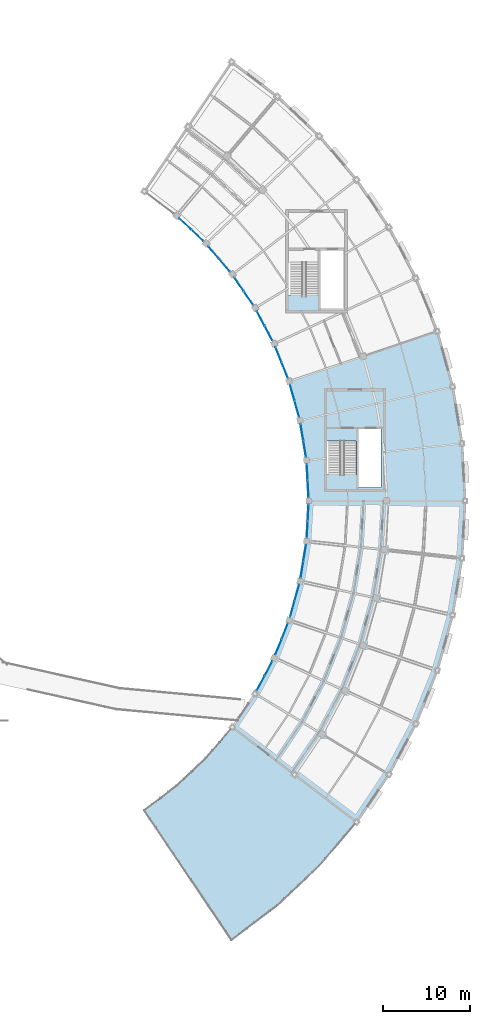
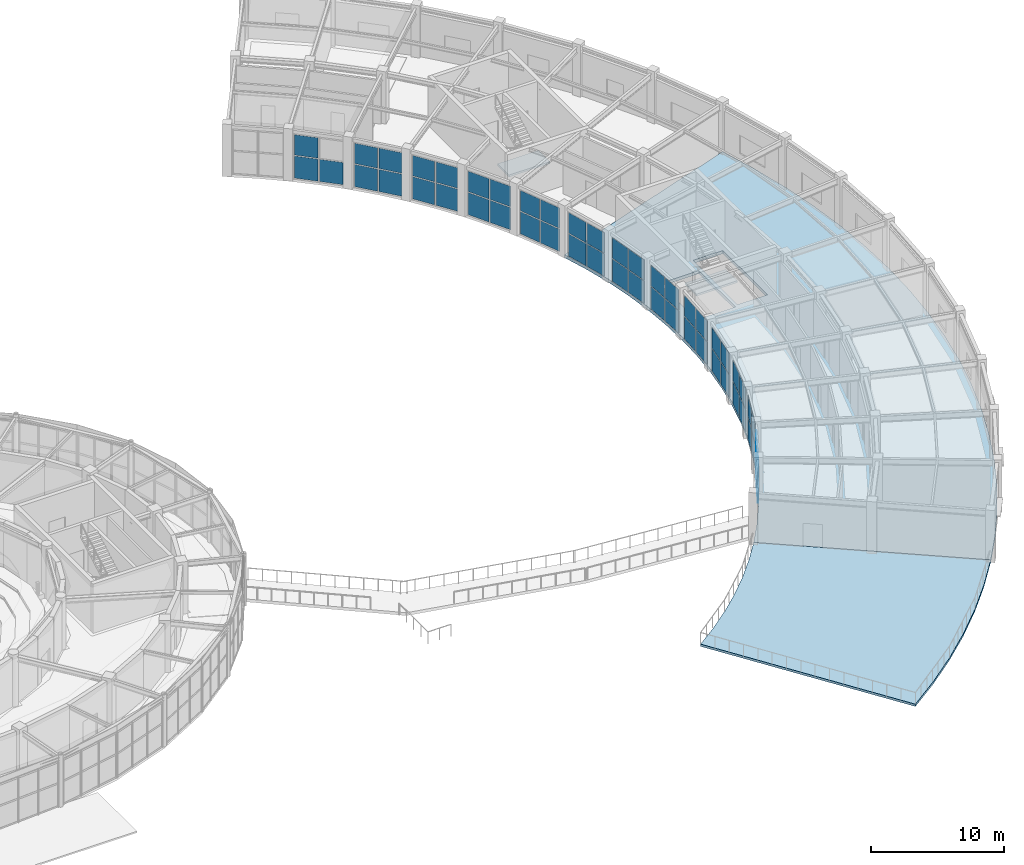
# One storey, part 74 of 100: 51 plates, 4 slabs, 15 elements without a shape of their own.
"""IFC4 building model written with IfcOpenShell, lengths in metres."""

from ifc_helpers import new_model, si_unit, direction, frame, origin, origin_2d, place, context, subcontext, project, spatial, polyline, rectangle, outline, extrude, material, layer, layer_set, type_object, element, aggregate, save


model = new_model("IFC4")

# Units and contexts
model_context = context("Model", 3, precision=1e-05, world=origin(), true_north=direction((0.0, 1.0)))
body_context = subcontext(model_context, "Body", "Model", "MODEL_VIEW")
ifc_project = project(units=[si_unit("LENGTHUNIT", "METRE"), si_unit("AREAUNIT", "SQUARE_METRE"), si_unit("VOLUMEUNIT", "CUBIC_METRE"), si_unit("PLANEANGLEUNIT", "RADIAN"), si_unit("MASSUNIT", "GRAM", prefix="KILO")], contexts=[model_context])

# Site, building, storey
site_placement = place(None, origin())
site = spatial("IfcSite", under=ifc_project, at=site_placement, CompositionType="ELEMENT")
building_placement = place(site_placement, origin())
building = spatial("IfcBuilding", under=site, at=building_placement, Name="Tarnveldt Headland Concert Hall", CompositionType="ELEMENT")
storey_placement = place(building_placement, frame((0.0, 0.0, 4.800048828125)))
storey = spatial("IfcBuildingStorey", under=building, at=storey_placement, Name="L01", CompositionType="ELEMENT", Elevation=4.800048828125)

# Curtain wall, plates
ifc_material_1 = material(Name="Marine-anodised aluminium EN AW-6063-T6", Category="aluminium")
curtain_wall_type = type_object("IfcCurtainWallType", Name="CW-C2", PredefinedType="NOTDEFINED", material=ifc_material_1)
curtain_wall_1_placement = place(storey_placement, origin())
curtain_wall_1 = element("IfcCurtainWall", 1, at=curtain_wall_1_placement, inside=storey, type_object=curtain_wall_type, Name="Curtain wall CW-L01-109", PredefinedType="NOTDEFINED")
ifc_material_2 = material(Name="Acoustic laminated low-iron double glazing", Category="glass")
ifc_layer_1 = layer(ifc_material_2, 0.02587890625, Name="Acoustic laminated low-iron double glazing", Category="glass")
ifc_layer_set_1 = layer_set([ifc_layer_1], Name="Acoustic laminated low-iron double glazing")
plate_type = type_object("IfcPlateType", Name="PN-C2", PredefinedType="CURTAIN_PANEL", material=ifc_layer_set_1)
plate_1_placement = place(storey_placement, frame((154.95458984375, 38.984375, 0.08984375), z_axis=(0.0, 0.0, 1.0), x_axis=(0.469471562786, 0.882947592859, 0.0)))
plate_1 = element("IfcPlate", 2, at=plate_1_placement, type_object=plate_type, Name="Glazed panel CW-L01-109-1-1", PredefinedType="CURTAIN_PANEL", context=body_context, shape_type="SweptSolid", body=[
    extrude(rectangle(XDim=1.834716796875, YDim=0.02587890625, at=origin_2d()), origin(), (0.0, 0.0, 1.0), 2.043701171875),
])
plate_2_placement = place(storey_placement, frame((154.95458984375, 38.984375, 2.213623046875), z_axis=(0.0, 0.0, 1.0), x_axis=(0.469471562786, 0.882947592859, 0.0)))
plate_2 = element("IfcPlate", 3, at=plate_2_placement, type_object=plate_type, Name="Glazed panel CW-L01-109-1-2", PredefinedType="CURTAIN_PANEL", context=body_context, shape_type="SweptSolid", body=[
    extrude(rectangle(XDim=1.834716796875, YDim=0.02587890625, at=origin_2d()), origin(), (0.0, 0.0, 1.0), 1.87646484375),
])
plate_3_placement = place(storey_placement, frame((155.8671875, 40.700439453125, 0.08984375), z_axis=(0.0, 0.0, 1.0), x_axis=(0.469471562786, 0.882947592859, 0.0)))
plate_3 = element("IfcPlate", 4, at=plate_3_placement, type_object=plate_type, Name="Glazed panel CW-L01-109-2-1", PredefinedType="CURTAIN_PANEL", context=body_context, shape_type="SweptSolid", body=[
    extrude(rectangle(XDim=1.834716796875, YDim=0.02587890625, at=origin_2d()), origin(), (0.0, 0.0, 1.0), 2.043701171875),
])
plate_4_placement = place(storey_placement, frame((155.8671875, 40.700439453125, 2.213623046875), z_axis=(0.0, 0.0, 1.0), x_axis=(0.469471562786, 0.882947592859, 0.0)))
plate_4 = element("IfcPlate", 5, at=plate_4_placement, type_object=plate_type, Name="Glazed panel CW-L01-109-2-2", PredefinedType="CURTAIN_PANEL", context=body_context, shape_type="SweptSolid", body=[
    extrude(rectangle(XDim=1.834716796875, YDim=0.02587890625, at=origin_2d()), origin(), (0.0, 0.0, 1.0), 1.87646484375),
])
aggregate(curtain_wall_1, [plate_1, plate_2, plate_3, plate_4])

curtain_wall_2_placement = place(storey_placement, origin())
curtain_wall_2 = element("IfcCurtainWall", 6, at=curtain_wall_2_placement, inside=storey, type_object=curtain_wall_type, Name="Curtain wall CW-L01-110", PredefinedType="NOTDEFINED")
plate_5_placement = place(storey_placement, frame((157.01171875, 43.167724609375, 0.08984375), z_axis=(0.0, 0.0, 1.0), x_axis=(0.371027502784, 0.928621877934, 0.0)))
plate_5 = element("IfcPlate", 7, at=plate_5_placement, type_object=plate_type, Name="Glazed panel CW-L01-110-1-1", PredefinedType="CURTAIN_PANEL", context=body_context, shape_type="SweptSolid", body=[
    extrude(rectangle(XDim=1.834716796875, YDim=0.02587890625, at=origin_2d()), origin(), (0.0, 0.0, 1.0), 2.043701171875),
])
plate_6_placement = place(storey_placement, frame((157.01171875, 43.167724609375, 2.213623046875), z_axis=(0.0, 0.0, 1.0), x_axis=(0.371027502784, 0.928621877934, 0.0)))
plate_6 = element("IfcPlate", 8, at=plate_6_placement, type_object=plate_type, Name="Glazed panel CW-L01-110-1-2", PredefinedType="CURTAIN_PANEL", context=body_context, shape_type="SweptSolid", body=[
    extrude(rectangle(XDim=1.834716796875, YDim=0.02587890625, at=origin_2d()), origin(), (0.0, 0.0, 1.0), 1.87646484375),
])
plate_7_placement = place(storey_placement, frame((157.73291015625, 44.97265625, 0.08984375), z_axis=(0.0, 0.0, 1.0), x_axis=(0.371027502784, 0.928621877934, 0.0)))
plate_7 = element("IfcPlate", 9, at=plate_7_placement, type_object=plate_type, Name="Glazed panel CW-L01-110-2-1", PredefinedType="CURTAIN_PANEL", context=body_context, shape_type="SweptSolid", body=[
    extrude(rectangle(XDim=1.834716796875, YDim=0.02587890625, at=origin_2d()), origin(), (0.0, 0.0, 1.0), 2.043701171875),
])
plate_8_placement = place(storey_placement, frame((157.73291015625, 44.97265625, 2.213623046875), z_axis=(0.0, 0.0, 1.0), x_axis=(0.371027502784, 0.928621877934, 0.0)))
plate_8 = element("IfcPlate", 10, at=plate_8_placement, type_object=plate_type, Name="Glazed panel CW-L01-110-2-2", PredefinedType="CURTAIN_PANEL", context=body_context, shape_type="SweptSolid", body=[
    extrude(rectangle(XDim=1.834716796875, YDim=0.02587890625, at=origin_2d()), origin(), (0.0, 0.0, 1.0), 1.87646484375),
])
aggregate(curtain_wall_2, [plate_5, plate_6, plate_7, plate_8])

curtain_wall_3_placement = place(storey_placement, origin())
curtain_wall_3 = element("IfcCurtainWall", 11, at=curtain_wall_3_placement, inside=storey, type_object=curtain_wall_type, Name="Curtain wall CW-L01-111", PredefinedType="NOTDEFINED")
plate_9_placement = place(storey_placement, frame((158.603271484375, 47.54931640625, 0.08984375), z_axis=(0.0, 0.0, 1.0), x_axis=(0.26814645756, 0.963378159031, 0.0)))
plate_9 = element("IfcPlate", 12, at=plate_9_placement, type_object=plate_type, Name="Glazed panel CW-L01-111-1-1", PredefinedType="CURTAIN_PANEL", context=body_context, shape_type="SweptSolid", body=[
    extrude(rectangle(XDim=1.834716796875, YDim=0.02587890625, at=origin_2d()), origin(), (0.0, 0.0, 1.0), 2.043701171875),
])
plate_10_placement = place(storey_placement, frame((158.603271484375, 47.54931640625, 2.213623046875), z_axis=(0.0, 0.0, 1.0), x_axis=(0.26814645756, 0.963378159031, 0.0)))
plate_10 = element("IfcPlate", 13, at=plate_10_placement, type_object=plate_type, Name="Glazed panel CW-L01-111-1-2", PredefinedType="CURTAIN_PANEL", context=body_context, shape_type="SweptSolid", body=[
    extrude(rectangle(XDim=1.834716796875, YDim=0.02587890625, at=origin_2d()), origin(), (0.0, 0.0, 1.0), 1.87646484375),
])
plate_11_placement = place(storey_placement, frame((159.12451171875, 49.421875, 0.08984375), z_axis=(0.0, 0.0, 1.0), x_axis=(0.26814645756, 0.963378159031, 0.0)))
plate_11 = element("IfcPlate", 14, at=plate_11_placement, type_object=plate_type, Name="Glazed panel CW-L01-111-2-1", PredefinedType="CURTAIN_PANEL", context=body_context, shape_type="SweptSolid", body=[
    extrude(rectangle(XDim=1.834716796875, YDim=0.02587890625, at=origin_2d()), origin(), (0.0, 0.0, 1.0), 2.043701171875),
])
plate_12_placement = place(storey_placement, frame((159.12451171875, 49.421875, 2.213623046875), z_axis=(0.0, 0.0, 1.0), x_axis=(0.26814645756, 0.963378159031, 0.0)))
plate_12 = element("IfcPlate", 15, at=plate_12_placement, type_object=plate_type, Name="Glazed panel CW-L01-111-2-2", PredefinedType="CURTAIN_PANEL", context=body_context, shape_type="SweptSolid", body=[
    extrude(rectangle(XDim=1.834716796875, YDim=0.02587890625, at=origin_2d()), origin(), (0.0, 0.0, 1.0), 1.87646484375),
])
aggregate(curtain_wall_3, [plate_9, plate_10, plate_11, plate_12])

curtain_wall_4_placement = place(storey_placement, origin())
curtain_wall_4 = element("IfcCurtainWall", 16, at=curtain_wall_4_placement, inside=storey, type_object=curtain_wall_type, Name="Curtain wall CW-L01-112", PredefinedType="NOTDEFINED")
plate_13_placement = place(storey_placement, frame((159.710693359375, 52.07763671875, 0.08984375), z_axis=(0.0, 0.0, 1.0), x_axis=(0.162154960078, 0.986765305897, 0.0)))
plate_13 = element("IfcPlate", 17, at=plate_13_placement, type_object=plate_type, Name="Glazed panel CW-L01-112-1-1", PredefinedType="CURTAIN_PANEL", context=body_context, shape_type="SweptSolid", body=[
    extrude(rectangle(XDim=1.834716796875, YDim=0.02587890625, at=origin_2d()), origin(), (0.0, 0.0, 1.0), 2.043701171875),
])
plate_14_placement = place(storey_placement, frame((159.710693359375, 52.07763671875, 2.213623046875), z_axis=(0.0, 0.0, 1.0), x_axis=(0.162154960078, 0.986765305897, 0.0)))
plate_14 = element("IfcPlate", 18, at=plate_14_placement, type_object=plate_type, Name="Glazed panel CW-L01-112-1-2", PredefinedType="CURTAIN_PANEL", context=body_context, shape_type="SweptSolid", body=[
    extrude(rectangle(XDim=1.834716796875, YDim=0.02587890625, at=origin_2d()), origin(), (0.0, 0.0, 1.0), 1.87646484375),
])
plate_15_placement = place(storey_placement, frame((160.02587890625, 53.99560546875, 0.08984375), z_axis=(0.0, 0.0, 1.0), x_axis=(0.162154960078, 0.986765305897, 0.0)))
plate_15 = element("IfcPlate", 19, at=plate_15_placement, type_object=plate_type, Name="Glazed panel CW-L01-112-2-1", PredefinedType="CURTAIN_PANEL", context=body_context, shape_type="SweptSolid", body=[
    extrude(rectangle(XDim=1.834716796875, YDim=0.02587890625, at=origin_2d()), origin(), (0.0, 0.0, 1.0), 2.043701171875),
])
plate_16_placement = place(storey_placement, frame((160.02587890625, 53.99560546875, 2.213623046875), z_axis=(0.0, 0.0, 1.0), x_axis=(0.162154960078, 0.986765305897, 0.0)))
plate_16 = element("IfcPlate", 20, at=plate_16_placement, type_object=plate_type, Name="Glazed panel CW-L01-112-2-2", PredefinedType="CURTAIN_PANEL", context=body_context, shape_type="SweptSolid", body=[
    extrude(rectangle(XDim=1.834716796875, YDim=0.02587890625, at=origin_2d()), origin(), (0.0, 0.0, 1.0), 1.87646484375),
])
aggregate(curtain_wall_4, [plate_13, plate_14, plate_15, plate_16])

curtain_wall_5_placement = place(storey_placement, origin())
curtain_wall_5 = element("IfcCurtainWall", 21, at=curtain_wall_5_placement, inside=storey, type_object=curtain_wall_type, Name="Curtain wall CW-L01-113", PredefinedType="NOTDEFINED")
plate_17_placement = place(storey_placement, frame((160.320556640625, 56.69921875, 0.08984375), z_axis=(0.0, 0.0, 1.0), x_axis=(0.054253089686, 0.998527216584, 0.0)))
plate_17 = element("IfcPlate", 22, at=plate_17_placement, type_object=plate_type, Name="Glazed panel CW-L01-113-1-1", PredefinedType="CURTAIN_PANEL", context=body_context, shape_type="SweptSolid", body=[
    extrude(rectangle(XDim=1.834716796875, YDim=0.02587890625, at=origin_2d()), origin(), (0.0, 0.0, 1.0), 2.043701171875),
])
plate_18_placement = place(storey_placement, frame((160.320556640625, 56.69921875, 2.213623046875), z_axis=(0.0, 0.0, 1.0), x_axis=(0.054253089686, 0.998527216584, 0.0)))
plate_18 = element("IfcPlate", 23, at=plate_18_placement, type_object=plate_type, Name="Glazed panel CW-L01-113-1-2", PredefinedType="CURTAIN_PANEL", context=body_context, shape_type="SweptSolid", body=[
    extrude(rectangle(XDim=1.834716796875, YDim=0.02587890625, at=origin_2d()), origin(), (0.0, 0.0, 1.0), 1.87646484375),
])
plate_19_placement = place(storey_placement, frame((160.426025390625, 58.64013671875, 0.08984375), z_axis=(0.0, 0.0, 1.0), x_axis=(0.054253089686, 0.998527216584, 0.0)))
plate_19 = element("IfcPlate", 24, at=plate_19_placement, type_object=plate_type, Name="Glazed panel CW-L01-113-2-1", PredefinedType="CURTAIN_PANEL", context=body_context, shape_type="SweptSolid", body=[
    extrude(rectangle(XDim=1.834716796875, YDim=0.02587890625, at=origin_2d()), origin(), (0.0, 0.0, 1.0), 2.043701171875),
])
plate_20_placement = place(storey_placement, frame((160.426025390625, 58.64013671875, 2.213623046875), z_axis=(0.0, 0.0, 1.0), x_axis=(0.054253089686, 0.998527216584, 0.0)))
plate_20 = element("IfcPlate", 25, at=plate_20_placement, type_object=plate_type, Name="Glazed panel CW-L01-113-2-2", PredefinedType="CURTAIN_PANEL", context=body_context, shape_type="SweptSolid", body=[
    extrude(rectangle(XDim=1.834716796875, YDim=0.02587890625, at=origin_2d()), origin(), (0.0, 0.0, 1.0), 1.87646484375),
])
aggregate(curtain_wall_5, [plate_17, plate_18, plate_19, plate_20])

curtain_wall_6_placement = place(storey_placement, origin())
curtain_wall_6 = element("IfcCurtainWall", 26, at=curtain_wall_6_placement, inside=storey, type_object=curtain_wall_type, Name="Curtain wall CW-L01-114", PredefinedType="NOTDEFINED")
plate_21_placement = place(storey_placement, frame((160.426025390625, 61.35986328125, 0.08984375), z_axis=(0.0, 0.0, 1.0), x_axis=(-0.054253089686, 0.998527216584, 0.0)))
plate_21 = element("IfcPlate", 27, at=plate_21_placement, type_object=plate_type, Name="Glazed panel CW-L01-114-1-1", PredefinedType="CURTAIN_PANEL", context=body_context, shape_type="SweptSolid", body=[
    extrude(rectangle(XDim=1.834716796875, YDim=0.02587890625, at=origin_2d()), origin(), (0.0, 0.0, 1.0), 2.043701171875),
])
plate_22_placement = place(storey_placement, frame((160.426025390625, 61.35986328125, 2.213623046875), z_axis=(0.0, 0.0, 1.0), x_axis=(-0.054253089686, 0.998527216584, 0.0)))
plate_22 = element("IfcPlate", 28, at=plate_22_placement, type_object=plate_type, Name="Glazed panel CW-L01-114-1-2", PredefinedType="CURTAIN_PANEL", context=body_context, shape_type="SweptSolid", body=[
    extrude(rectangle(XDim=1.834716796875, YDim=0.02587890625, at=origin_2d()), origin(), (0.0, 0.0, 1.0), 1.87646484375),
])
plate_23_placement = place(storey_placement, frame((160.320556640625, 63.30078125, 0.08984375), z_axis=(0.0, 0.0, 1.0), x_axis=(-0.054253089686, 0.998527216584, 0.0)))
plate_23 = element("IfcPlate", 29, at=plate_23_placement, type_object=plate_type, Name="Glazed panel CW-L01-114-2-1", PredefinedType="CURTAIN_PANEL", context=body_context, shape_type="SweptSolid", body=[
    extrude(rectangle(XDim=1.834716796875, YDim=0.02587890625, at=origin_2d()), origin(), (0.0, 0.0, 1.0), 2.043701171875),
])
plate_24_placement = place(storey_placement, frame((160.320556640625, 63.30078125, 2.213623046875), z_axis=(0.0, 0.0, 1.0), x_axis=(-0.054253089686, 0.998527216584, 0.0)))
plate_24 = element("IfcPlate", 30, at=plate_24_placement, type_object=plate_type, Name="Glazed panel CW-L01-114-2-2", PredefinedType="CURTAIN_PANEL", context=body_context, shape_type="SweptSolid", body=[
    extrude(rectangle(XDim=1.834716796875, YDim=0.02587890625, at=origin_2d()), origin(), (0.0, 0.0, 1.0), 1.87646484375),
])
aggregate(curtain_wall_6, [plate_21, plate_22, plate_23, plate_24])

curtain_wall_7_placement = place(storey_placement, origin())
curtain_wall_7 = element("IfcCurtainWall", 31, at=curtain_wall_7_placement, inside=storey, type_object=curtain_wall_type, Name="Curtain wall CW-L01-115", PredefinedType="NOTDEFINED")
plate_25_placement = place(storey_placement, frame((160.02587890625, 66.00439453125, 0.08984375), z_axis=(0.0, 0.0, 1.0), x_axis=(-0.162154960078, 0.986765305897, 0.0)))
plate_25 = element("IfcPlate", 32, at=plate_25_placement, type_object=plate_type, Name="Glazed panel CW-L01-115-1-1", PredefinedType="CURTAIN_PANEL", context=body_context, shape_type="SweptSolid", body=[
    extrude(rectangle(XDim=1.834716796875, YDim=0.02587890625, at=origin_2d()), origin(), (0.0, 0.0, 1.0), 2.043701171875),
])
plate_26_placement = place(storey_placement, frame((160.02587890625, 66.00439453125, 2.213623046875), z_axis=(0.0, 0.0, 1.0), x_axis=(-0.162154960078, 0.986765305897, 0.0)))
plate_26 = element("IfcPlate", 33, at=plate_26_placement, type_object=plate_type, Name="Glazed panel CW-L01-115-1-2", PredefinedType="CURTAIN_PANEL", context=body_context, shape_type="SweptSolid", body=[
    extrude(rectangle(XDim=1.834716796875, YDim=0.02587890625, at=origin_2d()), origin(), (0.0, 0.0, 1.0), 1.87646484375),
])
plate_27_placement = place(storey_placement, frame((159.710693359375, 67.92236328125, 0.08984375), z_axis=(0.0, 0.0, 1.0), x_axis=(-0.162154960078, 0.986765305897, 0.0)))
plate_27 = element("IfcPlate", 34, at=plate_27_placement, type_object=plate_type, Name="Glazed panel CW-L01-115-2-1", PredefinedType="CURTAIN_PANEL", context=body_context, shape_type="SweptSolid", body=[
    extrude(rectangle(XDim=1.834716796875, YDim=0.02587890625, at=origin_2d()), origin(), (0.0, 0.0, 1.0), 2.043701171875),
])
plate_28_placement = place(storey_placement, frame((159.710693359375, 67.92236328125, 2.213623046875), z_axis=(0.0, 0.0, 1.0), x_axis=(-0.162154960078, 0.986765305897, 0.0)))
plate_28 = element("IfcPlate", 35, at=plate_28_placement, type_object=plate_type, Name="Glazed panel CW-L01-115-2-2", PredefinedType="CURTAIN_PANEL", context=body_context, shape_type="SweptSolid", body=[
    extrude(rectangle(XDim=1.834716796875, YDim=0.02587890625, at=origin_2d()), origin(), (0.0, 0.0, 1.0), 1.87646484375),
])
aggregate(curtain_wall_7, [plate_25, plate_26, plate_27, plate_28])

curtain_wall_8_placement = place(storey_placement, origin())
curtain_wall_8 = element("IfcCurtainWall", 36, at=curtain_wall_8_placement, inside=storey, type_object=curtain_wall_type, Name="Curtain wall CW-L01-116", PredefinedType="NOTDEFINED")
plate_29_placement = place(storey_placement, frame((159.12451171875, 70.578125, 0.08984375), z_axis=(0.0, 0.0, 1.0), x_axis=(-0.26814645756, 0.963378159031, 0.0)))
plate_29 = element("IfcPlate", 37, at=plate_29_placement, type_object=plate_type, Name="Glazed panel CW-L01-116-1-1", PredefinedType="CURTAIN_PANEL", context=body_context, shape_type="SweptSolid", body=[
    extrude(rectangle(XDim=1.834716796875, YDim=0.02587890625, at=origin_2d()), origin(), (0.0, 0.0, 1.0), 2.043701171875),
])
plate_30_placement = place(storey_placement, frame((159.12451171875, 70.578125, 2.213623046875), z_axis=(0.0, 0.0, 1.0), x_axis=(-0.26814645756, 0.963378159031, 0.0)))
plate_30 = element("IfcPlate", 38, at=plate_30_placement, type_object=plate_type, Name="Glazed panel CW-L01-116-1-2", PredefinedType="CURTAIN_PANEL", context=body_context, shape_type="SweptSolid", body=[
    extrude(rectangle(XDim=1.834716796875, YDim=0.02587890625, at=origin_2d()), origin(), (0.0, 0.0, 1.0), 1.87646484375),
])
plate_31_placement = place(storey_placement, frame((158.603271484375, 72.45068359375, 0.08984375), z_axis=(0.0, 0.0, 1.0), x_axis=(-0.26814645756, 0.963378159031, 0.0)))
plate_31 = element("IfcPlate", 39, at=plate_31_placement, type_object=plate_type, Name="Glazed panel CW-L01-116-2-1", PredefinedType="CURTAIN_PANEL", context=body_context, shape_type="SweptSolid", body=[
    extrude(rectangle(XDim=1.834716796875, YDim=0.02587890625, at=origin_2d()), origin(), (0.0, 0.0, 1.0), 2.043701171875),
])
plate_32_placement = place(storey_placement, frame((158.603271484375, 72.45068359375, 2.213623046875), z_axis=(0.0, 0.0, 1.0), x_axis=(-0.26814645756, 0.963378159031, 0.0)))
plate_32 = element("IfcPlate", 40, at=plate_32_placement, type_object=plate_type, Name="Glazed panel CW-L01-116-2-2", PredefinedType="CURTAIN_PANEL", context=body_context, shape_type="SweptSolid", body=[
    extrude(rectangle(XDim=1.834716796875, YDim=0.02587890625, at=origin_2d()), origin(), (0.0, 0.0, 1.0), 1.87646484375),
])
aggregate(curtain_wall_8, [plate_29, plate_30, plate_31, plate_32])

curtain_wall_9_placement = place(storey_placement, origin())
curtain_wall_9 = element("IfcCurtainWall", 41, at=curtain_wall_9_placement, inside=storey, type_object=curtain_wall_type, Name="Curtain wall CW-L01-117", PredefinedType="NOTDEFINED")
plate_33_placement = place(storey_placement, frame((157.73291015625, 75.02734375, 0.08984375), z_axis=(0.0, 0.0, 1.0), x_axis=(-0.371027502784, 0.928621877934, 0.0)))
plate_33 = element("IfcPlate", 42, at=plate_33_placement, type_object=plate_type, Name="Glazed panel CW-L01-117-1-1", PredefinedType="CURTAIN_PANEL", context=body_context, shape_type="SweptSolid", body=[
    extrude(rectangle(XDim=1.834716796875, YDim=0.02587890625, at=origin_2d()), origin(), (0.0, 0.0, 1.0), 2.043701171875),
])
plate_34_placement = place(storey_placement, frame((157.73291015625, 75.02734375, 2.213623046875), z_axis=(0.0, 0.0, 1.0), x_axis=(-0.371027502784, 0.928621877934, 0.0)))
plate_34 = element("IfcPlate", 43, at=plate_34_placement, type_object=plate_type, Name="Glazed panel CW-L01-117-1-2", PredefinedType="CURTAIN_PANEL", context=body_context, shape_type="SweptSolid", body=[
    extrude(rectangle(XDim=1.834716796875, YDim=0.02587890625, at=origin_2d()), origin(), (0.0, 0.0, 1.0), 1.87646484375),
])
plate_35_placement = place(storey_placement, frame((157.01171875, 76.832275390625, 0.08984375), z_axis=(0.0, 0.0, 1.0), x_axis=(-0.371027502784, 0.928621877934, 0.0)))
plate_35 = element("IfcPlate", 44, at=plate_35_placement, type_object=plate_type, Name="Glazed panel CW-L01-117-2-1", PredefinedType="CURTAIN_PANEL", context=body_context, shape_type="SweptSolid", body=[
    extrude(rectangle(XDim=1.834716796875, YDim=0.02587890625, at=origin_2d()), origin(), (0.0, 0.0, 1.0), 2.043701171875),
])
plate_36_placement = place(storey_placement, frame((157.01171875, 76.832275390625, 2.213623046875), z_axis=(0.0, 0.0, 1.0), x_axis=(-0.371027502784, 0.928621877934, 0.0)))
plate_36 = element("IfcPlate", 45, at=plate_36_placement, type_object=plate_type, Name="Glazed panel CW-L01-117-2-2", PredefinedType="CURTAIN_PANEL", context=body_context, shape_type="SweptSolid", body=[
    extrude(rectangle(XDim=1.834716796875, YDim=0.02587890625, at=origin_2d()), origin(), (0.0, 0.0, 1.0), 1.87646484375),
])
aggregate(curtain_wall_9, [plate_33, plate_34, plate_35, plate_36])

curtain_wall_10_placement = place(storey_placement, origin())
curtain_wall_10 = element("IfcCurtainWall", 46, at=curtain_wall_10_placement, inside=storey, type_object=curtain_wall_type, Name="Curtain wall CW-L01-118", PredefinedType="NOTDEFINED")
plate_37_placement = place(storey_placement, frame((155.8671875, 79.299560546875, 0.08984375), z_axis=(0.0, 0.0, 1.0), x_axis=(-0.469471562786, 0.882947592859, 0.0)))
plate_37 = element("IfcPlate", 47, at=plate_37_placement, type_object=plate_type, Name="Glazed panel CW-L01-118-1-1", PredefinedType="CURTAIN_PANEL", context=body_context, shape_type="SweptSolid", body=[
    extrude(rectangle(XDim=1.834716796875, YDim=0.02587890625, at=origin_2d()), origin(), (0.0, 0.0, 1.0), 2.043701171875),
])
plate_38_placement = place(storey_placement, frame((155.8671875, 79.299560546875, 2.213623046875), z_axis=(0.0, 0.0, 1.0), x_axis=(-0.469471562786, 0.882947592859, 0.0)))
plate_38 = element("IfcPlate", 48, at=plate_38_placement, type_object=plate_type, Name="Glazed panel CW-L01-118-1-2", PredefinedType="CURTAIN_PANEL", context=body_context, shape_type="SweptSolid", body=[
    extrude(rectangle(XDim=1.834716796875, YDim=0.02587890625, at=origin_2d()), origin(), (0.0, 0.0, 1.0), 1.87646484375),
])
plate_39_placement = place(storey_placement, frame((154.95458984375, 81.015625, 0.08984375), z_axis=(0.0, 0.0, 1.0), x_axis=(-0.469471562786, 0.882947592859, 0.0)))
plate_39 = element("IfcPlate", 49, at=plate_39_placement, type_object=plate_type, Name="Glazed panel CW-L01-118-2-1", PredefinedType="CURTAIN_PANEL", context=body_context, shape_type="SweptSolid", body=[
    extrude(rectangle(XDim=1.834716796875, YDim=0.02587890625, at=origin_2d()), origin(), (0.0, 0.0, 1.0), 2.043701171875),
])
plate_40_placement = place(storey_placement, frame((154.95458984375, 81.015625, 2.213623046875), z_axis=(0.0, 0.0, 1.0), x_axis=(-0.469471562786, 0.882947592859, 0.0)))
plate_40 = element("IfcPlate", 50, at=plate_40_placement, type_object=plate_type, Name="Glazed panel CW-L01-118-2-2", PredefinedType="CURTAIN_PANEL", context=body_context, shape_type="SweptSolid", body=[
    extrude(rectangle(XDim=1.834716796875, YDim=0.02587890625, at=origin_2d()), origin(), (0.0, 0.0, 1.0), 1.87646484375),
])
aggregate(curtain_wall_10, [plate_37, plate_38, plate_39, plate_40])

curtain_wall_11_placement = place(storey_placement, origin())
curtain_wall_11 = element("IfcCurtainWall", 51, at=curtain_wall_11_placement, inside=storey, type_object=curtain_wall_type, Name="Curtain wall CW-L01-119", PredefinedType="NOTDEFINED")
plate_41_placement = place(storey_placement, frame((153.54931640625, 83.34423828125, 0.08984375), z_axis=(0.0, 0.0, 1.0), x_axis=(-0.562429775231, 0.826845056787, 0.0)))
plate_41 = element("IfcPlate", 52, at=plate_41_placement, type_object=plate_type, Name="Glazed panel CW-L01-119-1-1", PredefinedType="CURTAIN_PANEL", context=body_context, shape_type="SweptSolid", body=[
    extrude(rectangle(XDim=1.834716796875, YDim=0.02587890625, at=origin_2d()), origin(), (0.0, 0.0, 1.0), 2.043701171875),
])
plate_42_placement = place(storey_placement, frame((153.54931640625, 83.34423828125, 2.213623046875), z_axis=(0.0, 0.0, 1.0), x_axis=(-0.562429775231, 0.826845056787, 0.0)))
plate_42 = element("IfcPlate", 53, at=plate_42_placement, type_object=plate_type, Name="Glazed panel CW-L01-119-1-2", PredefinedType="CURTAIN_PANEL", context=body_context, shape_type="SweptSolid", body=[
    extrude(rectangle(XDim=1.834716796875, YDim=0.02587890625, at=origin_2d()), origin(), (0.0, 0.0, 1.0), 1.87646484375),
])
plate_43_placement = place(storey_placement, frame((152.4560546875, 84.951416015625, 0.08984375), z_axis=(0.0, 0.0, 1.0), x_axis=(-0.562429775231, 0.826845056787, 0.0)))
plate_43 = element("IfcPlate", 54, at=plate_43_placement, type_object=plate_type, Name="Glazed panel CW-L01-119-2-1", PredefinedType="CURTAIN_PANEL", context=body_context, shape_type="SweptSolid", body=[
    extrude(rectangle(XDim=1.834716796875, YDim=0.02587890625, at=origin_2d()), origin(), (0.0, 0.0, 1.0), 2.043701171875),
])
plate_44_placement = place(storey_placement, frame((152.4560546875, 84.951416015625, 2.213623046875), z_axis=(0.0, 0.0, 1.0), x_axis=(-0.562429775231, 0.826845056787, 0.0)))
plate_44 = element("IfcPlate", 55, at=plate_44_placement, type_object=plate_type, Name="Glazed panel CW-L01-119-2-2", PredefinedType="CURTAIN_PANEL", context=body_context, shape_type="SweptSolid", body=[
    extrude(rectangle(XDim=1.834716796875, YDim=0.02587890625, at=origin_2d()), origin(), (0.0, 0.0, 1.0), 1.87646484375),
])
aggregate(curtain_wall_11, [plate_41, plate_42, plate_43, plate_44])

curtain_wall_12_placement = place(storey_placement, origin())
curtain_wall_12 = element("IfcCurtainWall", 56, at=curtain_wall_12_placement, inside=storey, type_object=curtain_wall_type, Name="Curtain wall CW-L01-120", PredefinedType="NOTDEFINED")
plate_45_placement = place(storey_placement, frame((150.806640625, 87.11376953125, 0.08984375), z_axis=(0.0, 0.0, 1.0), x_axis=(-0.648704529332, 0.761040362677, 0.0)))
plate_45 = element("IfcPlate", 57, at=plate_45_placement, type_object=plate_type, Name="Glazed panel CW-L01-120-1-1", PredefinedType="CURTAIN_PANEL", context=body_context, shape_type="SweptSolid", body=[
    extrude(rectangle(XDim=1.834716796875, YDim=0.02587890625, at=origin_2d()), origin(), (0.0, 0.0, 1.0), 2.043701171875),
])
plate_46_placement = place(storey_placement, frame((150.806640625, 87.11376953125, 2.213623046875), z_axis=(0.0, 0.0, 1.0), x_axis=(-0.648704529332, 0.761040362677, 0.0)))
plate_46 = element("IfcPlate", 58, at=plate_46_placement, type_object=plate_type, Name="Glazed panel CW-L01-120-1-2", PredefinedType="CURTAIN_PANEL", context=body_context, shape_type="SweptSolid", body=[
    extrude(rectangle(XDim=1.834716796875, YDim=0.02587890625, at=origin_2d()), origin(), (0.0, 0.0, 1.0), 1.87646484375),
])
plate_47_placement = place(storey_placement, frame((149.5458984375, 88.593017578125, 0.08984375), z_axis=(0.0, 0.0, 1.0), x_axis=(-0.648704529332, 0.761040362677, 0.0)))
plate_47 = element("IfcPlate", 59, at=plate_47_placement, type_object=plate_type, Name="Glazed panel CW-L01-120-2-1", PredefinedType="CURTAIN_PANEL", context=body_context, shape_type="SweptSolid", body=[
    extrude(rectangle(XDim=1.834716796875, YDim=0.02587890625, at=origin_2d()), origin(), (0.0, 0.0, 1.0), 2.043701171875),
])
plate_48_placement = place(storey_placement, frame((149.5458984375, 88.593017578125, 2.213623046875), z_axis=(0.0, 0.0, 1.0), x_axis=(-0.648704529332, 0.761040362677, 0.0)))
plate_48 = element("IfcPlate", 60, at=plate_48_placement, type_object=plate_type, Name="Glazed panel CW-L01-120-2-2", PredefinedType="CURTAIN_PANEL", context=body_context, shape_type="SweptSolid", body=[
    extrude(rectangle(XDim=1.834716796875, YDim=0.02587890625, at=origin_2d()), origin(), (0.0, 0.0, 1.0), 1.87646484375),
])
aggregate(curtain_wall_12, [plate_45, plate_46, plate_47, plate_48])

curtain_wall_13_placement = place(storey_placement, origin())
curtain_wall_13 = element("IfcCurtainWall", 61, at=curtain_wall_13_placement, inside=storey, type_object=curtain_wall_type, Name="Curtain wall CW-L01-121", PredefinedType="NOTDEFINED")
plate_49_placement = place(storey_placement, frame((147.671875, 90.56396484375, 0.08984375), z_axis=(0.0, 0.0, 1.0), x_axis=(-0.72736565674, 0.686250101199, 0.0)))
plate_49 = element("IfcPlate", 62, at=plate_49_placement, type_object=plate_type, Name="Glazed panel CW-L01-121-1-1", PredefinedType="CURTAIN_PANEL", context=body_context, shape_type="SweptSolid", body=[
    extrude(rectangle(XDim=1.834716796875, YDim=0.02587890625, at=origin_2d()), origin(), (0.0, 0.0, 1.0), 2.043701171875),
])
plate_50_placement = place(storey_placement, frame((146.258056640625, 91.89794921875, 0.08984375), z_axis=(0.0, 0.0, 1.0), x_axis=(-0.72736565674, 0.686250101199, 0.0)))
plate_50 = element("IfcPlate", 63, at=plate_50_placement, type_object=plate_type, Name="Glazed panel CW-L01-121-2-1", PredefinedType="CURTAIN_PANEL", context=body_context, shape_type="SweptSolid", body=[
    extrude(rectangle(XDim=1.834716796875, YDim=0.02587890625, at=origin_2d()), origin(), (0.0, 0.0, 1.0), 2.043701171875),
])
plate_51_placement = place(storey_placement, frame((146.258056640625, 91.89794921875, 2.213623046875), z_axis=(0.0, 0.0, 1.0), x_axis=(-0.72736565674, 0.686250101199, 0.0)))
plate_51 = element("IfcPlate", 64, at=plate_51_placement, type_object=plate_type, Name="Glazed panel CW-L01-121-2-2", PredefinedType="CURTAIN_PANEL", context=body_context, shape_type="SweptSolid", body=[
    extrude(rectangle(XDim=1.834716796875, YDim=0.02587890625, at=origin_2d()), origin(), (0.0, 0.0, 1.0), 1.87646484375),
])
aggregate(curtain_wall_13, [plate_49, plate_50, plate_51])

# Slab
ifc_material_3 = material(Name="Concrete C40/50", Category="concrete")
ifc_layer_2 = layer(ifc_material_3, 0.280029296875, Name="Concrete C40/50", Category="concrete")
ifc_layer_set_2 = layer_set([ifc_layer_2], Name="Concrete C40/50")
slab_type_1 = type_object("IfcSlabType", Name="SL-FL280", PredefinedType="FLOOR", material=ifc_layer_set_2)
slab_1_placement = place(storey_placement, frame((0.0, 0.0, -0.280029296875)))
element("IfcSlab", 65, at=slab_1_placement, inside=storey, type_object=slab_type_1, Name="Crescent wing floor slab L01 sector 1", PredefinedType="FLOOR", context=body_context, shape_type="SweptSolid", body=[
    extrude(outline(polyline([(153.05517578125, 35.816650390625), (151.690185546875, 33.922607421875), (166.00244140625, 23.006591796875), (167.938720703125, 25.693359375), (169.726318359375, 28.481201171875), (171.35986328125, 31.3623046875), (172.834716796875, 34.327392578125), (174.146484375, 37.368408203125), (175.291259765625, 40.476318359375), (176.265625, 43.6416015625), (177.06689453125, 46.85498046875), (177.6923828125, 50.107177734375), (178.140625, 53.388427734375), (178.41015625, 56.689453125), (178.5, 60.0), (178.41015625, 63.310546875), (178.140625, 66.611572265625), (177.6923828125, 69.892822265625), (177.06689453125, 73.14501953125), (176.265625, 76.3583984375), (175.291259765625, 79.523681640625), (158.238037109375, 73.7626953125), (158.9248046875, 71.531494140625), (159.48974609375, 69.26611328125), (159.9306640625, 66.9736328125), (160.24658203125, 64.66064453125), (160.4365234375, 62.333740234375), (160.5, 60.0), (160.4365234375, 57.666259765625), (160.24658203125, 55.33935546875), (159.9306640625, 53.0263671875), (159.48974609375, 50.73388671875), (158.9248046875, 48.468505859375), (158.238037109375, 46.2373046875), (157.43115234375, 44.046630859375), (156.50634765625, 41.903076171875), (155.466796875, 39.812744140625), (154.315185546875, 37.781982421875), (153.05517578125, 35.816650390625)]), holes=[polyline([(162.580078125, 66.8798828125), (165.9599609375, 66.8798828125), (165.9599609375, 61.3798828125), (162.580078125, 61.3798828125), (162.580078125, 66.8798828125)]), polyline([(168.840087890625, 68.260009765625), (168.840087890625, 61.56005859375), (166.239990234375, 61.56005859375), (166.239990234375, 68.260009765625), (168.840087890625, 68.260009765625)])]), origin(), (0.0, 0.0, 1.0), 0.280029296875),
])

# Stair, slab
stair_type = type_object("IfcStairType", Name="ST-CORE480", PredefinedType="HALF_TURN_STAIR", material=ifc_material_3)
stair_1_placement = place(storey_placement, origin())
stair_1 = element("IfcStair", 66, at=stair_1_placement, inside=storey, type_object=stair_type, Name="Exit stair STR-C3-L01", PredefinedType="HALF_TURN_STAIR")
ifc_layer_3 = layer(ifc_material_3, 0.179931640625, Name="Concrete C40/50", Category="concrete")
ifc_layer_set_3 = layer_set([ifc_layer_3], Name="Concrete C40/50")
slab_type_2 = type_object("IfcSlabType", Name="SL-STLND180", PredefinedType="LANDING", material=ifc_layer_set_3)
slab_2_placement = place(storey_placement, frame((0.0, 0.0, 2.219970703125)))
slab_2 = element("IfcSlab", 67, at=slab_2_placement, type_object=slab_type_2, Name="Stair half-landing STR-C3-L01", PredefinedType="LANDING", context=body_context, shape_type="SweptSolid", body=[
    extrude(outline(polyline([(158.1201171875, 81.919921875), (161.679931640625, 81.919921875), (161.679931640625, 83.639892578125), (158.1201171875, 83.639892578125), (158.1201171875, 81.919921875)])), origin(), (0.0, 0.0, 1.0), 0.179931640625),
])
aggregate(stair_1, [slab_2])

stair_2_placement = place(storey_placement, origin())
stair_2 = element("IfcStair", 68, at=stair_2_placement, inside=storey, type_object=stair_type, Name="Exit stair STR-C4-L01", PredefinedType="HALF_TURN_STAIR")
slab_3_placement = place(storey_placement, frame((0.0, 0.0, 2.219970703125)))
slab_3 = element("IfcSlab", 69, at=slab_3_placement, type_object=slab_type_2, Name="Stair half-landing STR-C4-L01", PredefinedType="LANDING", context=body_context, shape_type="SweptSolid", body=[
    extrude(outline(polyline([(162.52001953125, 61.320068359375), (166.080078125, 61.320068359375), (166.080078125, 63.0400390625), (162.52001953125, 63.0400390625), (162.52001953125, 61.320068359375)])), origin(), (0.0, 0.0, 1.0), 0.179931640625),
])
aggregate(stair_2, [slab_3])

# Slab
ifc_layer_4 = layer(ifc_material_3, 0.2099609375, Name="Concrete C40/50", Category="concrete")
ifc_layer_set_4 = layer_set([ifc_layer_4], Name="Concrete C40/50")
slab_type_3 = type_object("IfcSlabType", Name="SL-TR210", PredefinedType="ROOF", material=ifc_layer_set_4)
slab_4_placement = place(storey_placement, frame((0.0, 0.0, -0.2099609375)))
element("IfcSlab", 70, at=slab_4_placement, inside=storey, type_object=slab_type_3, Name="Crescent stepped coastal roof terrace L01", PredefinedType="ROOF", context=body_context, shape_type="SweptSolid", body=[
    extrude(outline(polyline([(151.61083984375, 9.4287109375), (154.30517578125, 11.3544921875), (156.89111328125, 13.423583984375), (159.360595703125, 15.630126953125), (161.70703125, 17.967529296875), (163.923095703125, 20.4287109375), (166.00244140625, 23.006591796875), (151.690185546875, 33.922607421875), (150.224609375, 32.10546875), (148.662353515625, 30.37060546875), (147.00830078125, 28.722900390625), (145.267333984375, 27.16748046875), (143.444580078125, 25.708984375), (141.54541015625, 24.351318359375), (151.61083984375, 9.4287109375)])), origin(), (0.0, 0.0, 1.0), 0.2099609375),
])

save(model, "model.ifc")
